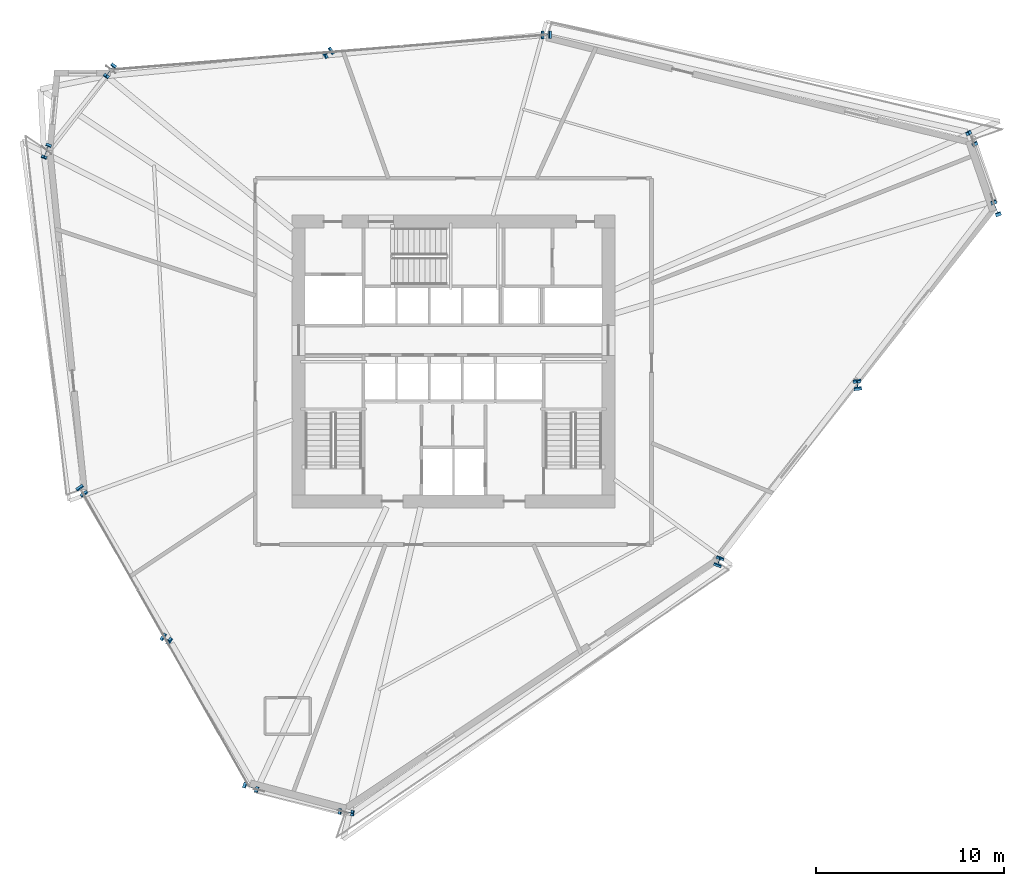
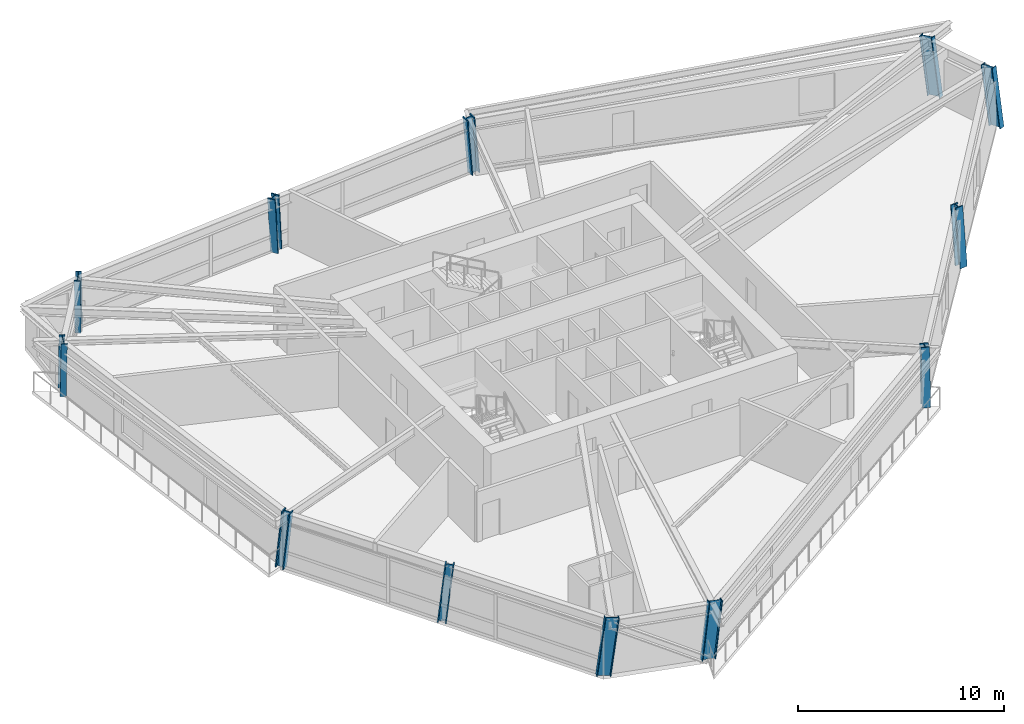
# One storey, part 1 of 18: 12 columns.
"""IFC4 building model written with IfcOpenShell, lengths in metres."""

from ifc_helpers import new_model, si_unit, direction, frame, origin, origin_2d, place, context, subcontext, project, spatial, i_section, extrude, source, transform, mapped, material, material_profile, profile_set, type_object, element, save


model = new_model("IFC4")

# Units and contexts
model_context = context("Model", 3, precision=1e-05, world=origin(), true_north=direction((0.0, 1.0)))
body_context = subcontext(model_context, "Body", "Model", "MODEL_VIEW")
ifc_project = project(units=[si_unit("LENGTHUNIT", "METRE"), si_unit("AREAUNIT", "SQUARE_METRE"), si_unit("VOLUMEUNIT", "CUBIC_METRE"), si_unit("PLANEANGLEUNIT", "RADIAN"), si_unit("MASSUNIT", "GRAM", prefix="KILO")], contexts=[model_context])

# Site, building, storey
site_placement = place(None, origin())
site = spatial("IfcSite", under=ifc_project, at=site_placement, CompositionType="ELEMENT")
building_placement = place(site_placement, origin())
building = spatial("IfcBuilding", under=site, at=building_placement, Name="Olszyna Solenne Hotel", CompositionType="ELEMENT")
storey_placement = place(building_placement, frame((0.0, 0.0, 112.800048828125)))
storey = spatial("IfcBuildingStorey", under=building, at=storey_placement, Name="L29", CompositionType="ELEMENT", Elevation=112.800048828125)

# Columns
ifc_material = material(Name="Steel S460M", Category="steel")
ifc_material_profile_1 = material_profile(ifc_material, i_section(OverallWidth=0.41796875, OverallDepth=0.455078125, WebThickness=0.03759765625, FlangeThickness=0.05908203125, at=origin_2d()), Name="HD 400x551", Category="load-bearing")
ifc_profile_set_1 = profile_set([ifc_material_profile_1], Name="Steel S460M")
column_type_1 = type_object("IfcColumnType", Name="COL-T2", PredefinedType="COLUMN", material=ifc_profile_set_1)
shared_shape_1 = source(origin(), body_context, "Body", "SweptSolid", [
    extrude(i_section(OverallWidth=0.41796875, OverallDepth=0.455078125, WebThickness=0.03759765625, FlangeThickness=0.05908203125, at=origin_2d()), origin(), (0.0, 0.0, 1.0), 3.39892578125),
])
column_1_placement = place(storey_placement, frame((31.36865234375, 43.06103515625, 0.0), z_axis=(-0.076208404136, -0.049129640367, 0.995880794863), x_axis=(0.541838144315, -0.840482852511, 0.0)))
element("IfcColumn", 1, at=column_1_placement, inside=storey, type_object=column_type_1, Name="Perimeter framed-tube column COL-T2 C-L29-04", PredefinedType="COLUMN", context=body_context, shape_type="MappedRepresentation", body=[
    mapped(shared_shape_1, transform((0.0, 0.0, 0.0), x_axis=(1.0, 0.0, 0.0), y_axis=(0.0, 1.0, 0.0), z_axis=(0.0, 0.0, 1.0), scale=1.0)),
])
shared_shape_2 = source(origin(), body_context, "Body", "SweptSolid", [
    extrude(i_section(OverallWidth=0.41796875, OverallDepth=0.455078125, WebThickness=0.03759765625, FlangeThickness=0.05908203125, at=origin_2d()), origin(), (0.0, 0.0, 1.0), 3.405029296875),
])
column_2_placement = place(storey_placement, frame((59.515625, 25.28173828125, 0.0), z_axis=(-0.011256550997, 0.107976852234, 0.994089678772), x_axis=(-0.994609898476, -0.1036877517, 0.0)))
element("IfcColumn", 2, at=column_2_placement, inside=storey, type_object=column_type_1, Name="Perimeter framed-tube column COL-T2 C-L29-12", PredefinedType="COLUMN", context=body_context, shape_type="MappedRepresentation", body=[
    mapped(shared_shape_2, transform((0.0, 0.0, 0.0), x_axis=(1.0, 0.0, 0.0), y_axis=(0.0, 1.0, 0.0), z_axis=(0.0, 0.0, 1.0), scale=1.0)),
])
ifc_material_profile_2 = material_profile(ifc_material, i_section(OverallWidth=0.303955078125, OverallDepth=0.716064453125, WebThickness=0.02099609375, FlangeThickness=0.0400390625, at=origin_2d()), Name="HEM 700", Category="load-bearing")
ifc_profile_set_2 = profile_set([ifc_material_profile_2], Name="Steel S460M")
column_type_2 = type_object("IfcColumnType", Name="COL-K2", PredefinedType="COLUMN", material=ifc_profile_set_2)
shared_shape_3 = source(origin(), body_context, "Body", "SweptSolid", [
    extrude(i_section(OverallWidth=0.303955078125, OverallDepth=0.716064453125, WebThickness=0.02099609375, FlangeThickness=0.0400390625, at=origin_2d()), origin(), (0.0, 0.0, 1.0), 3.408447265625),
])
column_3_placement = place(storey_placement, frame((19.744873046875, 42.12939453125, 0.0), z_axis=(-0.067332747492, -0.095411935807, 0.993158025503), x_axis=(0.817035854661, -0.5765868644, 0.0)))
element("IfcColumn", 3, at=column_3_placement, inside=storey, type_object=column_type_2, Name="Perimeter framed-tube column COL-K2 C-L29-05", PredefinedType="COLUMN", context=body_context, shape_type="MappedRepresentation", body=[
    mapped(shared_shape_3, transform((0.0, 0.0, 0.0), x_axis=(1.0, 0.0, 0.0), y_axis=(0.0, 1.0, 0.0), z_axis=(0.0, 0.0, 1.0), scale=1.0)),
])
shared_shape_4 = source(origin(), body_context, "Body", "SweptSolid", [
    extrude(i_section(OverallWidth=0.303955078125, OverallDepth=0.716064453125, WebThickness=0.02099609375, FlangeThickness=0.0400390625, at=origin_2d()), origin(), (0.0, 0.0, 1.0), 3.4111328125),
])
column_4_placement = place(storey_placement, frame((27.13427734375, 3.944091796875, 0.0), z_axis=(0.115878413991, -0.042013977154, 0.992374434825), x_axis=(0.340857061831, 0.940115133056, 0.0)))
element("IfcColumn", 4, at=column_4_placement, inside=storey, type_object=column_type_2, Name="Perimeter framed-tube column COL-K2 C-L29-09", PredefinedType="COLUMN", context=body_context, shape_type="MappedRepresentation", body=[
    mapped(shared_shape_4, transform((0.0, 0.0, 0.0), x_axis=(1.0, 0.0, 0.0), y_axis=(0.0, 1.0, 0.0), z_axis=(0.0, 0.0, 1.0), scale=1.0)),
])
shared_shape_5 = source(origin(), body_context, "Body", "SweptSolid", [
    extrude(i_section(OverallWidth=0.41796875, OverallDepth=0.455078125, WebThickness=0.03759765625, FlangeThickness=0.05908203125, at=origin_2d()), origin(), (0.0, 0.0, 1.0), 3.404541015625),
])
column_5_placement = place(storey_placement, frame((22.654541015625, 11.854248046875, 0.0), z_axis=(0.087199246589, -0.062029069325, 0.994257856873), x_axis=(0.579652352195, 0.814863884704, 0.0)))
element("IfcColumn", 5, at=column_5_placement, inside=storey, type_object=column_type_1, Name="Perimeter framed-tube column COL-T2 C-L29-08", PredefinedType="COLUMN", context=body_context, shape_type="MappedRepresentation", body=[
    mapped(shared_shape_5, transform((0.0, 0.0, 0.0), x_axis=(1.0, 0.0, 0.0), y_axis=(0.0, 1.0, 0.0), z_axis=(0.0, 0.0, 1.0), scale=1.0)),
])
shared_shape_6 = source(origin(), body_context, "Body", "SweptSolid", [
    extrude(i_section(OverallWidth=0.303955078125, OverallDepth=0.716064453125, WebThickness=0.02099609375, FlangeThickness=0.0400390625, at=origin_2d()), origin(), (0.0, 0.0, 1.0), 3.420166015625),
])
column_6_placement = place(storey_placement, frame((66.92041015625, 34.673583984375, 0.0), z_axis=(-0.052108729922, 0.133269861321, 0.989708959406), x_axis=(-0.931338427179, -0.364154821553, 0.0)))
element("IfcColumn", 6, at=column_6_placement, inside=storey, type_object=column_type_2, Name="Perimeter framed-tube column COL-K2 C-L29-01", PredefinedType="COLUMN", context=body_context, shape_type="MappedRepresentation", body=[
    mapped(shared_shape_6, transform((0.0, 0.0, 0.0), x_axis=(1.0, 0.0, 0.0), y_axis=(0.0, 1.0, 0.0), z_axis=(0.0, 0.0, 1.0), scale=1.0)),
])
shared_shape_7 = source(origin(), body_context, "Body", "SweptSolid", [
    extrude(i_section(OverallWidth=0.303955078125, OverallDepth=0.716064453125, WebThickness=0.02099609375, FlangeThickness=0.0400390625, at=origin_2d()), origin(), (0.0, 0.0, 1.0), 3.415771484375),
])
column_7_placement = place(storey_placement, frame((65.6337890625, 38.39990234375, 0.0), z_axis=(-0.065470800854, 0.116789616371, 0.990996346988), x_axis=(-0.872287452748, -0.488993455763, 0.0)))
element("IfcColumn", 7, at=column_7_placement, inside=storey, type_object=column_type_2, Name="Perimeter framed-tube column COL-K2 C-L29-02", PredefinedType="COLUMN", context=body_context, shape_type="MappedRepresentation", body=[
    mapped(shared_shape_7, transform((0.0, 0.0, 0.0), x_axis=(1.0, 0.0, 0.0), y_axis=(0.0, 1.0, 0.0), z_axis=(0.0, 0.0, 1.0), scale=1.0)),
])
shared_shape_8 = source(origin(), body_context, "Body", "SweptSolid", [
    extrude(i_section(OverallWidth=0.41796875, OverallDepth=0.455078125, WebThickness=0.03759765625, FlangeThickness=0.05908203125, at=origin_2d()), origin(), (0.0, 0.0, 1.0), 3.397216796875),
])
column_8_placement = place(storey_placement, frame((42.992431640625, 43.992919921875, 0.0), z_axis=(-0.084942222493, -0.002658935899, 0.996382330683), x_axis=(0.031287551366, -0.999510424723, 0.0)))
element("IfcColumn", 8, at=column_8_placement, inside=storey, type_object=column_type_1, Name="Perimeter framed-tube column COL-T2 C-L29-03", PredefinedType="COLUMN", context=body_context, shape_type="MappedRepresentation", body=[
    mapped(shared_shape_8, transform((0.0, 0.0, 0.0), x_axis=(1.0, 0.0, 0.0), y_axis=(0.0, 1.0, 0.0), z_axis=(0.0, 0.0, 1.0), scale=1.0)),
])
shared_shape_9 = source(origin(), body_context, "Body", "SweptSolid", [
    extrude(i_section(OverallWidth=0.303955078125, OverallDepth=0.716064453125, WebThickness=0.02099609375, FlangeThickness=0.0400390625, at=origin_2d()), origin(), (0.0, 0.0, 1.0), 3.404052734375),
])
column_9_placement = place(storey_placement, frame((16.343994140625, 37.853515625, 0.0), z_axis=(-0.038083007861, -0.098685911143, 0.994389649712), x_axis=(0.9329431075, -0.360023830002, 0.0)))
element("IfcColumn", 9, at=column_9_placement, inside=storey, type_object=column_type_2, Name="Perimeter framed-tube column COL-K2 C-L29-06", PredefinedType="COLUMN", context=body_context, shape_type="MappedRepresentation", body=[
    mapped(shared_shape_9, transform((0.0, 0.0, 0.0), x_axis=(1.0, 0.0, 0.0), y_axis=(0.0, 1.0, 0.0), z_axis=(0.0, 0.0, 1.0), scale=1.0)),
])
shared_shape_10 = source(origin(), body_context, "Body", "SweptSolid", [
    extrude(i_section(OverallWidth=0.41796875, OverallDepth=0.455078125, WebThickness=0.03759765625, FlangeThickness=0.05908203125, at=origin_2d()), origin(), (0.0, 0.0, 1.0), 3.40234375),
])
column_10_placement = place(storey_placement, frame((18.1748046875, 19.764404296875, 0.0), z_axis=(0.058410255518, -0.082090088836, 0.994911784715), x_axis=(0.8147908412, 0.579755021623, 0.0)))
element("IfcColumn", 10, at=column_10_placement, inside=storey, type_object=column_type_1, Name="Perimeter framed-tube column COL-T2 C-L29-07", PredefinedType="COLUMN", context=body_context, shape_type="MappedRepresentation", body=[
    mapped(shared_shape_10, transform((0.0, 0.0, 0.0), x_axis=(1.0, 0.0, 0.0), y_axis=(0.0, 1.0, 0.0), z_axis=(0.0, 0.0, 1.0), scale=1.0)),
])
shared_shape_11 = source(origin(), body_context, "Body", "SweptSolid", [
    extrude(i_section(OverallWidth=0.303955078125, OverallDepth=0.716064453125, WebThickness=0.02099609375, FlangeThickness=0.0400390625, at=origin_2d()), origin(), (0.0, 0.0, 1.0), 3.405029296875),
])
column_11_placement = place(storey_placement, frame((32.222412109375, 2.599609375, 0.0), z_axis=(0.107475750948, -0.014841547996, 0.994096922544), x_axis=(0.136793930518, 0.990599525829, 0.0)))
element("IfcColumn", 11, at=column_11_placement, inside=storey, type_object=column_type_2, Name="Perimeter framed-tube column COL-K2 C-L29-10", PredefinedType="COLUMN", context=body_context, shape_type="MappedRepresentation", body=[
    mapped(shared_shape_11, transform((0.0, 0.0, 0.0), x_axis=(1.0, 0.0, 0.0), y_axis=(0.0, 1.0, 0.0), z_axis=(0.0, 0.0, 1.0), scale=1.0)),
])
shared_shape_12 = source(origin(), body_context, "Body", "SweptSolid", [
    extrude(i_section(OverallWidth=0.41796875, OverallDepth=0.455078125, WebThickness=0.03759765625, FlangeThickness=0.05908203125, at=origin_2d()), origin(), (0.0, 0.0, 1.0), 3.39794921875),
])
column_12_placement = place(storey_placement, frame((52.110595703125, 15.889892578125, 0.0), z_axis=(0.029960418259, 0.082193569518, 0.996165945246), x_axis=(-0.939529379003, 0.34246831385, 0.0)))
element("IfcColumn", 12, at=column_12_placement, inside=storey, type_object=column_type_1, Name="Perimeter framed-tube column COL-T2 C-L29-11", PredefinedType="COLUMN", context=body_context, shape_type="MappedRepresentation", body=[
    mapped(shared_shape_12, transform((0.0, 0.0, 0.0), x_axis=(1.0, 0.0, 0.0), y_axis=(0.0, 1.0, 0.0), z_axis=(0.0, 0.0, 1.0), scale=1.0)),
])

save(model, "model.ifc")
